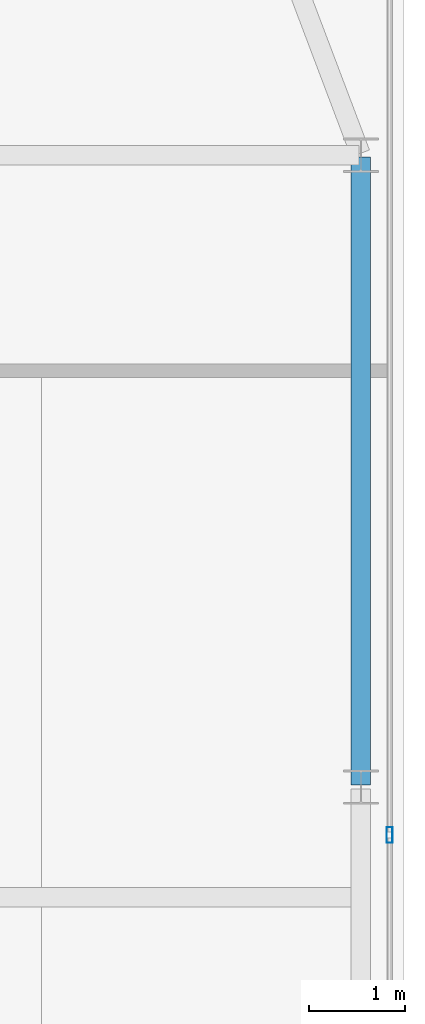
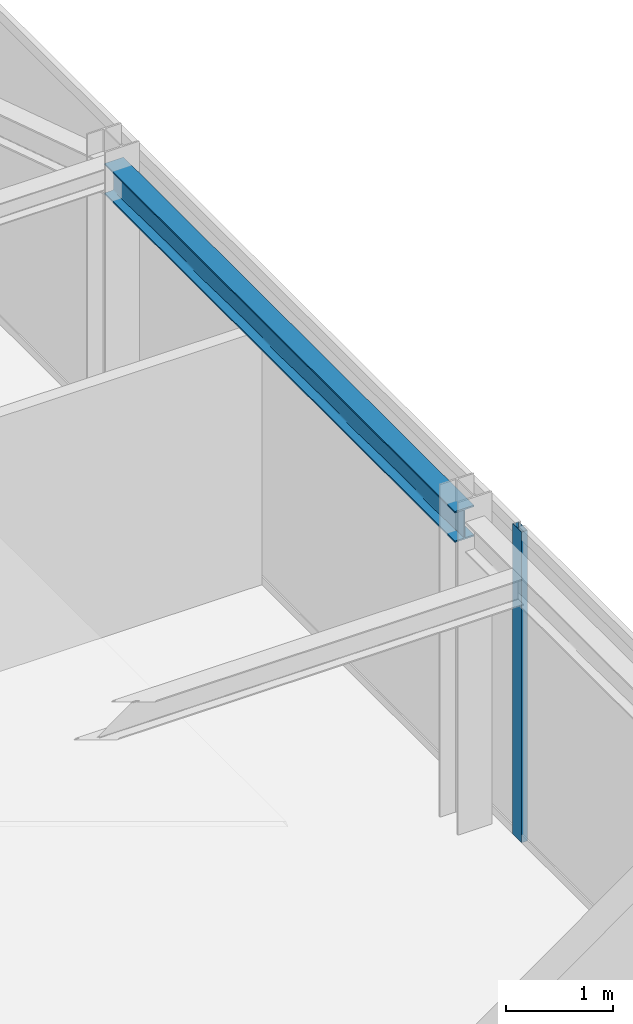
# One storey, part 19 of 30: 1 beam, 1 member, 1 element without a shape of its own.
"""IFC4 building model written with IfcOpenShell, lengths in metres."""

from ifc_helpers import new_model, si_unit, direction, frame, origin, origin_2d, place, context, subcontext, project, spatial, hollow_rectangle, i_section, extrude, source, transform, mapped, material, layer, layer_set, material_profile, profile_set, type_object, type_shapes, element, aggregate, save


model = new_model("IFC4")

# Units and contexts
model_context = context("Model", 3, precision=1e-05, world=origin(), true_north=direction((0.0, 1.0)))
body_context = subcontext(model_context, "Body", "Model", "MODEL_VIEW")
ifc_project = project(units=[si_unit("LENGTHUNIT", "METRE"), si_unit("AREAUNIT", "SQUARE_METRE"), si_unit("VOLUMEUNIT", "CUBIC_METRE"), si_unit("PLANEANGLEUNIT", "RADIAN"), si_unit("MASSUNIT", "GRAM", prefix="KILO")], contexts=[model_context])

# Site, building, storey
site_placement = place(None, origin())
site = spatial("IfcSite", under=ifc_project, at=site_placement, CompositionType="ELEMENT")
building_placement = place(site_placement, origin())
building = spatial("IfcBuilding", under=site, at=building_placement, Name="Varnel Quay Broadcast Tower", CompositionType="ELEMENT")
storey_placement = place(building_placement, frame((0.0, 0.0, 222.60009765625)))
storey = spatial("IfcBuildingStorey", under=building, at=storey_placement, Name="L55", CompositionType="ELEMENT", Elevation=222.60009765625)

# Beam
ifc_material_1 = material(Name="Structural Steel CSA G40.21 350W", Category="steel")
ifc_material_profile_1 = material_profile(ifc_material_1, i_section(OverallWidth=0.205078125, OverallDepth=0.35400390625, WebThickness=0.009521484375, FlangeThickness=0.016845703125, FilletRadius=0.012939453125, at=origin_2d()), Name="W360X79")
ifc_profile_set_1 = profile_set([ifc_material_profile_1], Name="Structural Steel CSA G40.21 350W")
beam_type = type_object("IfcBeamType", Name="Beam_W360X79", PredefinedType="SPANDREL", material=ifc_profile_set_1)
shared_shape_1 = source(origin(), body_context, "Body", "SweptSolid", [
    extrude(i_section(OverallWidth=0.205078125, OverallDepth=0.35400390625, WebThickness=0.009521484375, FlangeThickness=0.016845703125, FilletRadius=0.012939453125, at=origin_2d()), origin(), (0.0, 0.0, 1.0), 6.56005859375),
])
type_shapes(beam_type, [shared_shape_1])
beam_placement = place(storey_placement, frame((58.050048828125, 29.02001953125, 3.372802734375), z_axis=(0.0, 1.0, 0.0), x_axis=(-1.0, 0.0, 0.0)))
element("IfcBeam", 1, at=beam_placement, inside=storey, type_object=beam_type, Name="L55 East Spandrel TC-E2-TC-E3", PredefinedType="SPANDREL", context=body_context, shape_type="MappedRepresentation", body=[
    mapped(shared_shape_1, transform((0.0, 0.0, 0.0), x_axis=(1.0, 0.0, 0.0), y_axis=(0.0, 1.0, 0.0), z_axis=(0.0, 0.0, 1.0), scale=1.0)),
])

# Curtain wall, member
ifc_material_2 = material(Name="Anodised Bronze Aluminium 6063-T6", Category="aluminium")
ifc_layer = layer(ifc_material_2, 0.18994140625, Name="Anodised Bronze Aluminium 6063-T6")
ifc_layer_set = layer_set([ifc_layer], Name="Anodised Bronze Aluminium 6063-T6")
curtain_wall_type = type_object("IfcCurtainWallType", Name="CW_UpperTower", PredefinedType="NOTDEFINED", material=ifc_layer_set)
curtain_wall_placement = place(storey_placement, origin())
curtain_wall = element("IfcCurtainWall", 2, at=curtain_wall_placement, inside=storey, type_object=curtain_wall_type, Name="L55 East Unitised Curtain Wall", PredefinedType="NOTDEFINED")
ifc_material_profile_2 = material_profile(ifc_material_2, hollow_rectangle(XDim=0.06494140625, YDim=0.1650390625, WallThickness=0.00341796875, at=origin_2d()), Name="ALU65X165X3.5")
ifc_profile_set_2 = profile_set([ifc_material_profile_2], Name="Anodised Bronze Aluminium 6063-T6")
member_type = type_object("IfcMemberType", Name="Mull_CWS-03", PredefinedType="MULLION", material=ifc_profile_set_2)
shared_shape_2 = source(origin(), body_context, "Body", "SweptSolid", [
    extrude(hollow_rectangle(XDim=0.06494140625, YDim=0.1650390625, WallThickness=0.00341796875, at=origin_2d()), origin(), (0.0, 0.0, 1.0), 3.5498046875),
])
type_shapes(member_type, [shared_shape_2])
member_placement = place(storey_placement, frame((58.35009765625, 28.5, 0.0), z_axis=(0.0, 0.0, 1.0), x_axis=(-1.0, 0.0, 0.0)))
member = element("IfcMember", 3, at=member_placement, type_object=member_type, Name="CWS-03 mullion 2", PredefinedType="MULLION", context=body_context, shape_type="MappedRepresentation", body=[
    mapped(shared_shape_2, transform((0.0, 0.0, 0.0), x_axis=(1.0, 0.0, 0.0), y_axis=(0.0, 1.0, 0.0), z_axis=(0.0, 0.0, 1.0), scale=1.0)),
])
aggregate(curtain_wall, [member])

save(model, "model.ifc")
